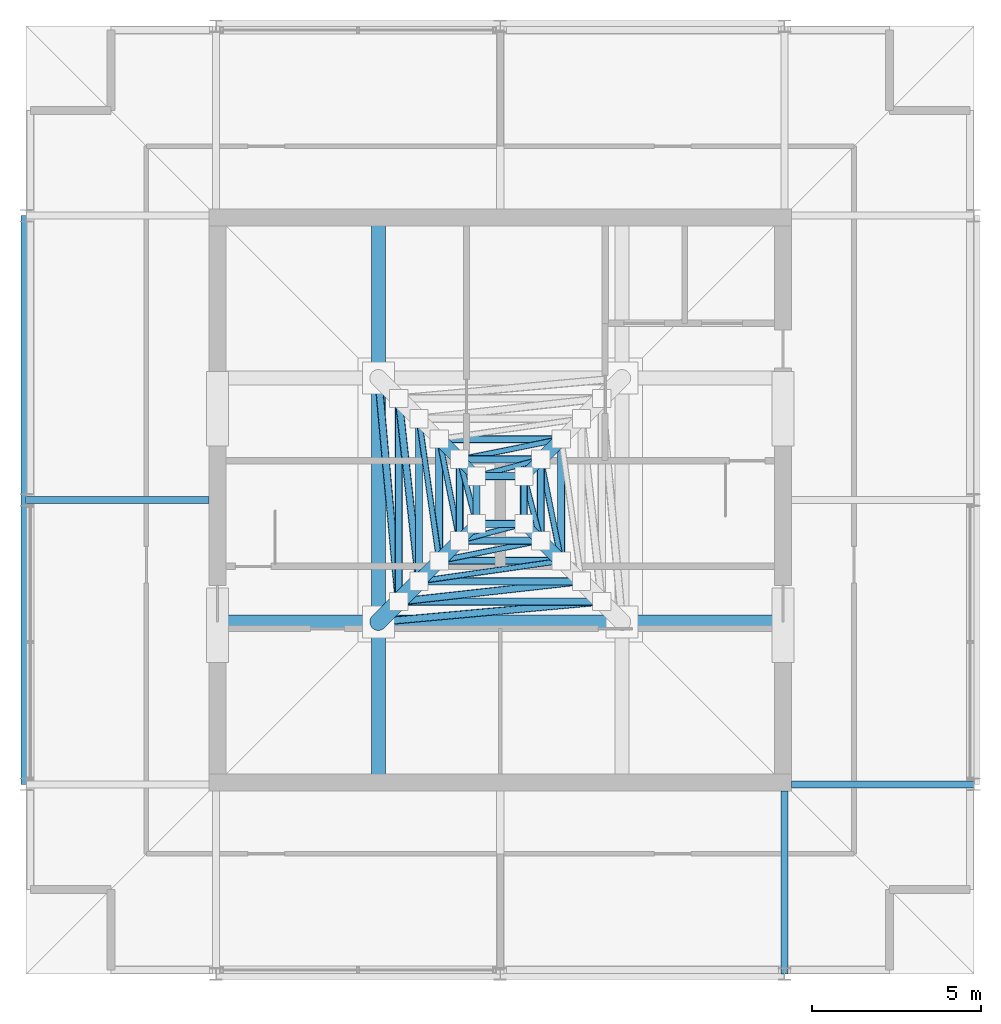
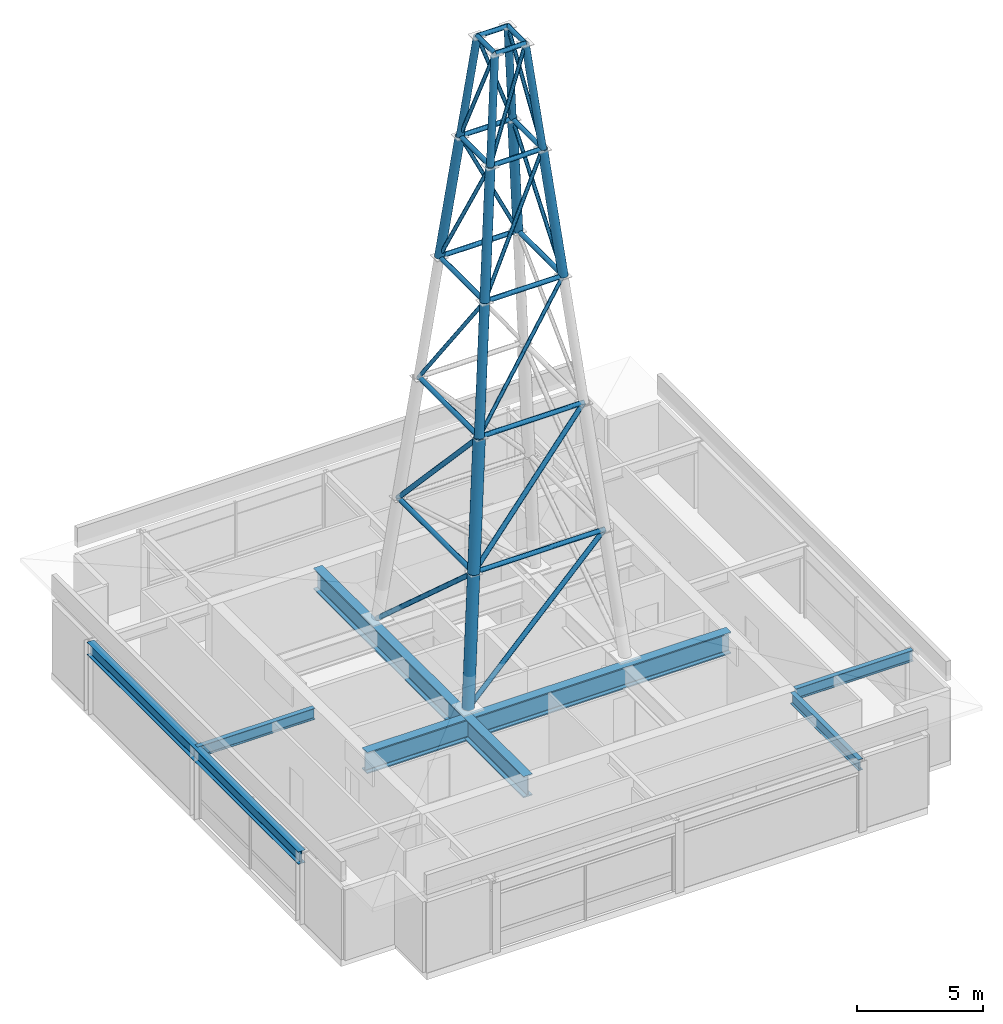
# One storey, part 5 of 13: 41 members, 6 beams.
"""IFC4 building model written with IfcOpenShell, lengths in metres."""

from ifc_helpers import new_model, si_unit, direction, frame, origin, origin_2d, place, context, subcontext, project, spatial, hollow_circle, i_section, extrude, material, material_profile, profile_set, type_object, element, save


model = new_model("IFC4")

# Units and contexts
model_context = context("Model", 3, precision=1e-05, world=origin(), true_north=direction((0.0, 1.0)))
body_context = subcontext(model_context, "Body", "Model", "MODEL_VIEW")
ifc_project = project(units=[si_unit("LENGTHUNIT", "METRE"), si_unit("AREAUNIT", "SQUARE_METRE"), si_unit("VOLUMEUNIT", "CUBIC_METRE"), si_unit("PLANEANGLEUNIT", "RADIAN"), si_unit("MASSUNIT", "GRAM", prefix="KILO")], contexts=[model_context])

# Site, building, storey
site_placement = place(None, origin())
site = spatial("IfcSite", under=ifc_project, at=site_placement, CompositionType="ELEMENT")
building_placement = place(site_placement, origin())
building = spatial("IfcBuilding", under=site, at=building_placement, Name="Drelvath Grand Hotel", CompositionType="ELEMENT")
storey_placement = place(building_placement, frame((0.0, 0.0, 323.199951171875)))
storey = spatial("IfcBuildingStorey", under=building, at=storey_placement, Name="L84", CompositionType="ELEMENT", Elevation=323.199951171875)

# Members
ifc_material_1 = material(Name="Steel ASTM A500 Gr C", Category="steel")
ifc_material_profile_1 = material_profile(ifc_material_1, hollow_circle(Radius=0.084228515625, WallThickness=0.009521484375, at=origin_2d()), Name="CHS168X10")
ifc_profile_set_1 = profile_set([ifc_material_profile_1], Name="Steel ASTM A500 Gr C")
member_type_1 = type_object("IfcMemberType", Name="Broadcast Mast Lattice Brace CHS168X10", PredefinedType="BRACE", material=ifc_profile_set_1)
for number, where, z_axis, x_axis, name in (
    (1, (-2.39990234375, 24.60009765625, 15.800048828125), (0.57154406269, 0.081630166949, 0.816501010561), (-0.141389130719, 0.989954096771, 0.0), "Broadcast Mast Lattice Brace T3-S"),
    (2, (-2.39990234375, 29.39990234375, 15.800048828125), (0.081630166949, -0.57154406269, 0.816501010561), (0.989954096771, 0.141389130719, 0.0), "Broadcast Mast Lattice Brace T3-W"),
):
    element("IfcMember", number, at=place(storey_placement, frame(where, z_axis=z_axis, x_axis=x_axis)), inside=storey, type_object=member_type_1, Name=name, PredefinedType="BRACE", context=body_context, shape_type="SweptSolid", body=[
        extrude(hollow_circle(Radius=0.084228515625, WallThickness=0.009521484375, at=origin_2d()), origin(), (0.0, 0.0, 1.0), 7.348388671875),
    ])
for number, where, z_axis, x_axis, name in (
    (3, (-1.800048828125, 25.199951171875, 21.800048828125), (0.445434827751, 0.089101465382, 0.890869655502), (-0.196146827104, 0.980574536798, 0.0), "Broadcast Mast Lattice Brace T4-S"),
    (4, (1.800048828125, 25.199951171875, 21.800048828125), (-0.089101465382, 0.445434827751, 0.890869655502), (-0.980574536798, -0.196146827104, 0.0), "Broadcast Mast Lattice Brace T4-E"),
    (5, (1.800048828125, 28.800048828125, 21.800048828125), (-0.445434827751, -0.089101465382, 0.890869655502), (0.196146827104, -0.980574536798, 0.0), "Broadcast Mast Lattice Brace T4-N"),
    (6, (-1.800048828125, 28.800048828125, 21.800048828125), (0.089101465382, -0.445434827751, 0.890869655502), (0.980574536798, 0.196146827104, 0.0), "Broadcast Mast Lattice Brace T4-W"),
):
    element("IfcMember", number, at=place(storey_placement, frame(where, z_axis=z_axis, x_axis=x_axis)), inside=storey, type_object=member_type_1, Name=name, PredefinedType="BRACE", context=body_context, shape_type="SweptSolid", body=[
        extrude(hollow_circle(Radius=0.084228515625, WallThickness=0.009521484375, at=origin_2d()), origin(), (0.0, 0.0, 1.0), 6.735107421875),
    ])
for number, where, z_axis, x_axis, name in (
    (7, (-1.199951171875, 25.800048828125, 27.800048828125), (0.35550881165, 0.093559759221, 0.929978524641), (-0.254505533121, 0.967071317748, 0.0), "Broadcast Mast Lattice Brace T5-S"),
    (8, (1.199951171875, 25.800048828125, 27.800048828125), (-0.093559759221, 0.35550881165, 0.929978524641), (-0.967071317748, -0.254505533121, 0.0), "Broadcast Mast Lattice Brace T5-E"),
    (9, (1.199951171875, 28.199951171875, 27.800048828125), (-0.35550881165, -0.093559759221, 0.929978524641), (0.254505533121, -0.967071317748, 0.0), "Broadcast Mast Lattice Brace T5-N"),
    (10, (-1.199951171875, 28.199951171875, 27.800048828125), (0.093559759221, -0.35550881165, 0.929978524641), (0.967071317748, 0.254505533121, 0.0), "Broadcast Mast Lattice Brace T5-W"),
):
    element("IfcMember", number, at=place(storey_placement, frame(where, z_axis=z_axis, x_axis=x_axis)), inside=storey, type_object=member_type_1, Name=name, PredefinedType="BRACE", context=body_context, shape_type="SweptSolid", body=[
        extrude(hollow_circle(Radius=0.084228515625, WallThickness=0.009521484375, at=origin_2d()), origin(), (0.0, 0.0, 1.0), 5.34423828125),
    ])
ifc_material_profile_2 = material_profile(ifc_material_1, hollow_circle(Radius=0.109619140625, WallThickness=0.0126953125, at=origin_2d()), Name="CHS219X13")
ifc_profile_set_2 = profile_set([ifc_material_profile_2], Name="Steel ASTM A500 Gr C")
member_type_2 = type_object("IfcMemberType", Name="Broadcast Mast Lattice Brace CHS219X13", PredefinedType="BRACE", material=ifc_profile_set_2)
for number, where, z_axis, x_axis, name in (
    (11, (-3.60009765625, 23.39990234375, 3.800048828125), (0.73827608919, 0.067125938715, 0.671150150475), (-0.090549032051, 0.995891998559, 0.0), "Broadcast Mast Lattice Brace T1-S"),
    (12, (-3.60009765625, 30.60009765625, 3.800048828125), (0.067125938715, -0.73827608919, 0.671150150475), (0.995891998559, 0.090549032051, 0.0), "Broadcast Mast Lattice Brace T1-W"),
):
    element("IfcMember", number, at=place(storey_placement, frame(where, z_axis=z_axis, x_axis=x_axis)), inside=storey, type_object=member_type_2, Name=name, PredefinedType="BRACE", context=body_context, shape_type="SweptSolid", body=[
        extrude(hollow_circle(Radius=0.109619140625, WallThickness=0.0126953125, at=origin_2d()), origin(), (0.0, 0.0, 1.0), 8.93994140625),
    ])
for number, where, z_axis, x_axis, name in (
    (13, (-3.0, 24.0, 9.800048828125), (0.667117093069, 0.074137526664, 0.741254619733), (-0.110451253797, 0.993881542506, 0.0), "Broadcast Mast Lattice Brace T2-S"),
    (14, (-3.0, 30.0, 9.800048828125), (0.074137526664, -0.667117093069, 0.741254619733), (0.993881542506, 0.110451253797, 0.0), "Broadcast Mast Lattice Brace T2-W"),
):
    element("IfcMember", number, at=place(storey_placement, frame(where, z_axis=z_axis, x_axis=x_axis)), inside=storey, type_object=member_type_2, Name=name, PredefinedType="BRACE", context=body_context, shape_type="SweptSolid", body=[
        extrude(hollow_circle(Radius=0.109619140625, WallThickness=0.0126953125, at=origin_2d()), origin(), (0.0, 0.0, 1.0), 8.094482421875),
    ])
ifc_material_profile_3 = material_profile(ifc_material_1, hollow_circle(Radius=0.161865234375, WallThickness=0.015869140625, at=origin_2d()), Name="CHS324X16")
ifc_profile_set_3 = profile_set([ifc_material_profile_3], Name="Steel ASTM A500 Gr C")
member_type_3 = type_object("IfcMemberType", Name="Broadcast Mast Leg Post CHS324X16", PredefinedType="POST", material=ifc_profile_set_3)
for number, where, z_axis, x_axis, name in (
    (15, (-1.199951171875, 25.800048828125, 27.800048828125), (0.099601181019, 0.099601181019, 0.990029903326), (-0.707106781187, 0.707106781187, 0.0), "Broadcast Mast Leg Post T5-SW"),
    (16, (1.199951171875, 25.800048828125, 27.800048828125), (-0.099601181019, 0.099601181019, 0.990029903326), (-0.707106781187, -0.707106781187, 0.0), "Broadcast Mast Leg Post T5-SE"),
    (17, (1.199951171875, 28.199951171875, 27.800048828125), (-0.099601181019, -0.099601181019, 0.990029903326), (0.707106781187, -0.707106781187, 0.0), "Broadcast Mast Leg Post T5-NE"),
    (18, (-1.199951171875, 28.199951171875, 27.800048828125), (0.099601181019, -0.099601181019, 0.990029903326), (0.707106781187, 0.707106781187, 0.0), "Broadcast Mast Leg Post T5-NW"),
):
    element("IfcMember", number, at=place(storey_placement, frame(where, z_axis=z_axis, x_axis=x_axis)), inside=storey, type_object=member_type_3, Name=name, PredefinedType="POST", context=body_context, shape_type="SweptSolid", body=[
        extrude(hollow_circle(Radius=0.161865234375, WallThickness=0.015869140625, at=origin_2d()), origin(), (0.0, 0.0, 1.0), 5.02001953125),
    ])
ifc_material_profile_4 = material_profile(ifc_material_1, hollow_circle(Radius=0.203125, WallThickness=0.01904296875, at=origin_2d()), Name="CHS406X19")
ifc_profile_set_4 = profile_set([ifc_material_profile_4], Name="Steel ASTM A500 Gr C")
member_type_4 = type_object("IfcMemberType", Name="Broadcast Mast Leg Post CHS406X19", PredefinedType="POST", material=ifc_profile_set_4)
member_placement = place(storey_placement, frame((-2.39990234375, 24.60009765625, 15.800048828125), z_axis=(0.098991054594, 0.098991054594, 0.990152282339), x_axis=(-0.707106781187, 0.707106781187, 0.0)))
element("IfcMember", 19, at=member_placement, inside=storey, type_object=member_type_4, Name="Broadcast Mast Leg Post T3-SW", PredefinedType="POST", context=body_context, shape_type="SweptSolid", body=[
    extrude(hollow_circle(Radius=0.203125, WallThickness=0.01904296875, at=origin_2d()), origin(), (0.0, 0.0, 1.0), 6.0595703125),
])
for number, where, z_axis, x_axis, name in (
    (20, (-1.800048828125, 25.199951171875, 21.800048828125), (0.099030553911, 0.099030553911, 0.990144382797), (-0.707106781187, 0.707106781187, 0.0), "Broadcast Mast Leg Post T4-SW"),
    (21, (1.800048828125, 25.199951171875, 21.800048828125), (-0.099030553911, 0.099030553911, 0.990144382797), (-0.707106781187, -0.707106781187, 0.0), "Broadcast Mast Leg Post T4-SE"),
    (22, (1.800048828125, 28.800048828125, 21.800048828125), (-0.099030553911, -0.099030553911, 0.990144382797), (0.707106781187, -0.707106781187, 0.0), "Broadcast Mast Leg Post T4-NE"),
    (23, (-1.800048828125, 28.800048828125, 21.800048828125), (0.099030553911, -0.099030553911, 0.990144382797), (0.707106781187, 0.707106781187, 0.0), "Broadcast Mast Leg Post T4-NW"),
):
    element("IfcMember", number, at=place(storey_placement, frame(where, z_axis=z_axis, x_axis=x_axis)), inside=storey, type_object=member_type_4, Name=name, PredefinedType="POST", context=body_context, shape_type="SweptSolid", body=[
        extrude(hollow_circle(Radius=0.203125, WallThickness=0.01904296875, at=origin_2d()), origin(), (0.0, 0.0, 1.0), 6.059814453125),
    ])
ifc_material_2 = material(Name="Steel ASTM A501 Gr B", Category="steel")
ifc_material_profile_5 = material_profile(ifc_material_2, hollow_circle(Radius=0.25390625, WallThickness=0.025390625, at=origin_2d()), Name="CHS508X25")
ifc_profile_set_5 = profile_set([ifc_material_profile_5], Name="Steel ASTM A501 Gr B")
member_type_5 = type_object("IfcMemberType", Name="Broadcast Mast Leg Post CHS508X25", PredefinedType="POST", material=ifc_profile_set_5)
for number, where, z_axis, x_axis, name in (
    (24, (-3.60009765625, 23.39990234375, 3.800048828125), (0.099030553911, 0.099030553911, 0.990144382797), (-0.707106781187, 0.707106781187, 0.0), "Broadcast Mast Leg Post T1-SW"),
    (25, (-3.0, 24.0, 9.800048828125), (0.099030553911, 0.099030553911, 0.990144382797), (-0.707106781187, 0.707106781187, 0.0), "Broadcast Mast Leg Post T2-SW"),
):
    element("IfcMember", number, at=place(storey_placement, frame(where, z_axis=z_axis, x_axis=x_axis)), inside=storey, type_object=member_type_5, Name=name, PredefinedType="POST", context=body_context, shape_type="SweptSolid", body=[
        extrude(hollow_circle(Radius=0.25390625, WallThickness=0.025390625, at=origin_2d()), origin(), (0.0, 0.0, 1.0), 6.059814453125),
    ])
ifc_material_profile_6 = material_profile(ifc_material_1, hollow_circle(Radius=0.109619140625, WallThickness=0.0126953125, at=origin_2d()), Name="CHS219X13")
ifc_profile_set_6 = profile_set([ifc_material_profile_6], Name="Steel ASTM A500 Gr C")
member_type_6 = type_object("IfcMemberType", Name="Broadcast Mast Ring Chord CHS219X13", PredefinedType="CHORD", material=ifc_profile_set_6)
for number, where, z_axis, x_axis, name in (
    (26, (-3.0, 24.0, 9.800048828125), (1.0, 0.0, 0.0), (0.0, 1.0, 0.0), "Broadcast Mast Ring Chord T1-S"),
    (27, (-3.0, 30.0, 9.800048828125), (0.0, -1.0, 0.0), (1.0, 0.0, 0.0), "Broadcast Mast Ring Chord T1-W"),
):
    element("IfcMember", number, at=place(storey_placement, frame(where, z_axis=z_axis, x_axis=x_axis)), inside=storey, type_object=member_type_6, Name=name, PredefinedType="CHORD", context=body_context, shape_type="SweptSolid", body=[
        extrude(hollow_circle(Radius=0.109619140625, WallThickness=0.0126953125, at=origin_2d()), origin(), (0.0, 0.0, 1.0), 6.0),
    ])
for number, where, z_axis, x_axis, name in (
    (28, (-2.39990234375, 24.60009765625, 15.800048828125), (1.0, 0.0, 0.0), (0.0, 1.0, 0.0), "Broadcast Mast Ring Chord T2-S"),
    (29, (-2.39990234375, 29.39990234375, 15.800048828125), (0.0, -1.0, 0.0), (1.0, 0.0, 0.0), "Broadcast Mast Ring Chord T2-W"),
):
    element("IfcMember", number, at=place(storey_placement, frame(where, z_axis=z_axis, x_axis=x_axis)), inside=storey, type_object=member_type_6, Name=name, PredefinedType="CHORD", context=body_context, shape_type="SweptSolid", body=[
        extrude(hollow_circle(Radius=0.109619140625, WallThickness=0.0126953125, at=origin_2d()), origin(), (0.0, 0.0, 1.0), 4.7998046875),
    ])
for number, where, z_axis, x_axis, name in (
    (30, (-1.800048828125, 25.199951171875, 21.800048828125), (1.0, 0.0, 0.0), (0.0, 1.0, 0.0), "Broadcast Mast Ring Chord T3-S"),
    (31, (1.800048828125, 25.199951171875, 21.800048828125), (0.0, 1.0, 0.0), (-1.0, 0.0, 0.0), "Broadcast Mast Ring Chord T3-E"),
    (32, (1.800048828125, 28.800048828125, 21.800048828125), (-1.0, 0.0, 0.0), (0.0, -1.0, 0.0), "Broadcast Mast Ring Chord T3-N"),
    (33, (-1.800048828125, 28.800048828125, 21.800048828125), (0.0, -1.0, 0.0), (1.0, 0.0, 0.0), "Broadcast Mast Ring Chord T3-W"),
):
    element("IfcMember", number, at=place(storey_placement, frame(where, z_axis=z_axis, x_axis=x_axis)), inside=storey, type_object=member_type_6, Name=name, PredefinedType="CHORD", context=body_context, shape_type="SweptSolid", body=[
        extrude(hollow_circle(Radius=0.109619140625, WallThickness=0.0126953125, at=origin_2d()), origin(), (0.0, 0.0, 1.0), 3.60009765625),
    ])
for number, where, z_axis, x_axis, name in (
    (34, (-1.199951171875, 25.800048828125, 27.800048828125), (1.0, 0.0, 0.0), (0.0, 1.0, 0.0), "Broadcast Mast Ring Chord T4-S"),
    (35, (1.199951171875, 25.800048828125, 27.800048828125), (0.0, 1.0, 0.0), (-1.0, 0.0, 0.0), "Broadcast Mast Ring Chord T4-E"),
    (36, (1.199951171875, 28.199951171875, 27.800048828125), (-1.0, 0.0, 0.0), (0.0, -1.0, 0.0), "Broadcast Mast Ring Chord T4-N"),
    (37, (-1.199951171875, 28.199951171875, 27.800048828125), (0.0, -1.0, 0.0), (1.0, 0.0, 0.0), "Broadcast Mast Ring Chord T4-W"),
):
    element("IfcMember", number, at=place(storey_placement, frame(where, z_axis=z_axis, x_axis=x_axis)), inside=storey, type_object=member_type_6, Name=name, PredefinedType="CHORD", context=body_context, shape_type="SweptSolid", body=[
        extrude(hollow_circle(Radius=0.109619140625, WallThickness=0.0126953125, at=origin_2d()), origin(), (0.0, 0.0, 1.0), 2.39990234375),
    ])
for number, where, z_axis, x_axis, name in (
    (38, (-0.699951171875, 26.300048828125, 32.77001953125), (1.0, 0.0, 0.0), (0.0, 1.0, 0.0), "Broadcast Mast Ring Chord T5-S"),
    (39, (0.699951171875, 26.300048828125, 32.77001953125), (0.0, 1.0, 0.0), (-1.0, 0.0, 0.0), "Broadcast Mast Ring Chord T5-E"),
    (40, (0.699951171875, 27.699951171875, 32.77001953125), (-1.0, 0.0, 0.0), (0.0, -1.0, 0.0), "Broadcast Mast Ring Chord T5-N"),
    (41, (-0.699951171875, 27.699951171875, 32.77001953125), (0.0, -1.0, 0.0), (1.0, 0.0, 0.0), "Broadcast Mast Ring Chord T5-W"),
):
    element("IfcMember", number, at=place(storey_placement, frame(where, z_axis=z_axis, x_axis=x_axis)), inside=storey, type_object=member_type_6, Name=name, PredefinedType="CHORD", context=body_context, shape_type="SweptSolid", body=[
        extrude(hollow_circle(Radius=0.109619140625, WallThickness=0.0126953125, at=origin_2d()), origin(), (0.0, 0.0, 1.0), 1.39990234375),
    ])

# Beams
ifc_material_3 = material(Name="Steel ASTM A992 Gr 50", Category="steel")
ifc_material_profile_7 = material_profile(ifc_material_3, i_section(OverallWidth=0.210205078125, OverallDepth=0.53662109375, WebThickness=0.010986328125, FlangeThickness=0.017333984375, FilletRadius=0.01806640625, at=origin_2d()), Name="W21X68")
ifc_profile_set_7 = profile_set([ifc_material_profile_7], Name="Steel ASTM A992 Gr 50")
beam_type_1 = type_object("IfcBeamType", Name="Primary Floor Girder W21X68", PredefinedType="BEAM", material=ifc_profile_set_7)
for number, where, z_axis, x_axis, name in (
    (42, (8.60009765625, 18.60009765625, 3.15185546875), (1.0, 0.0, 0.0), (0.0, 1.0, 0.0), "L84 Crown Drum Tie East D"),
    (43, (-14.0, 27.0, 3.15185546875), (1.0, 0.0, 0.0), (0.0, 1.0, 0.0), "L84 Crown Drum Tie West E"),
    (44, (8.39990234375, 13.0, 3.15185546875), (0.0, 1.0, 0.0), (-1.0, 0.0, 0.0), "L84 Crown Drum Tie South 6"),
):
    element("IfcBeam", number, at=place(storey_placement, frame(where, z_axis=z_axis, x_axis=x_axis)), inside=storey, type_object=beam_type_1, Name=name, PredefinedType="BEAM", context=body_context, shape_type="SweptSolid", body=[
        extrude(i_section(OverallWidth=0.210205078125, OverallDepth=0.53662109375, WebThickness=0.010986328125, FlangeThickness=0.017333984375, FilletRadius=0.01806640625, at=origin_2d()), origin(), (0.0, 0.0, 1.0), 5.39990234375),
    ])
ifc_material_profile_8 = material_profile(ifc_material_3, i_section(OverallWidth=0.323974609375, OverallDepth=0.611083984375, WebThickness=0.0126953125, FlangeThickness=0.01904296875, FilletRadius=0.02197265625, at=origin_2d()), Name="W24X104")
ifc_profile_set_8 = profile_set([ifc_material_profile_8], Name="Steel ASTM A992 Gr 50")
beam_type_2 = type_object("IfcBeamType", Name="Primary Floor Girder W24X104", PredefinedType="BEAM", material=ifc_profile_set_8)
beam_placement = place(storey_placement, frame((-14.0, 18.60009765625, 3.114501953125), z_axis=(0.0, 1.0, 0.0), x_axis=(-1.0, 0.0, 0.0)))
element("IfcBeam", 45, at=beam_placement, inside=storey, type_object=beam_type_2, Name="L84 Crown Drum Ring Beam West", PredefinedType="BEAM", context=body_context, shape_type="SweptSolid", body=[
    extrude(i_section(OverallWidth=0.323974609375, OverallDepth=0.611083984375, WebThickness=0.0126953125, FlangeThickness=0.01904296875, FilletRadius=0.02197265625, at=origin_2d()), origin(), (0.0, 0.0, 1.0), 16.7998046875),
])
ifc_material_profile_9 = material_profile(ifc_material_3, i_section(OverallWidth=0.40966796875, OverallDepth=1.037353515625, WebThickness=0.031005859375, FlangeThickness=0.055908203125, FilletRadius=0.030029296875, at=origin_2d()), Name="W40X397")
ifc_profile_set_9 = profile_set([ifc_material_profile_9], Name="Steel ASTM A992 Gr 50")
beam_type_3 = type_object("IfcBeamType", Name="Primary Floor Girder W40X397", PredefinedType="BEAM", material=ifc_profile_set_9)
for number, where, z_axis, x_axis, name in (
    (46, (-8.35009765625, 23.39990234375, 2.9013671875), (1.0, 0.0, 0.0), (0.0, 1.0, 0.0), "L84 Broadcast Mast Base Transfer Girder South"),
    (47, (-3.60009765625, 18.64990234375, 2.9013671875), (0.0, 1.0, 0.0), (-1.0, 0.0, 0.0), "L84 Broadcast Mast Base Transfer Girder West"),
):
    element("IfcBeam", number, at=place(storey_placement, frame(where, z_axis=z_axis, x_axis=x_axis)), inside=storey, type_object=beam_type_3, Name=name, PredefinedType="BEAM", context=body_context, shape_type="SweptSolid", body=[
        extrude(i_section(OverallWidth=0.40966796875, OverallDepth=1.037353515625, WebThickness=0.031005859375, FlangeThickness=0.055908203125, FilletRadius=0.030029296875, at=origin_2d()), origin(), (0.0, 0.0, 1.0), 16.7001953125),
    ])

save(model, "model.ifc")
